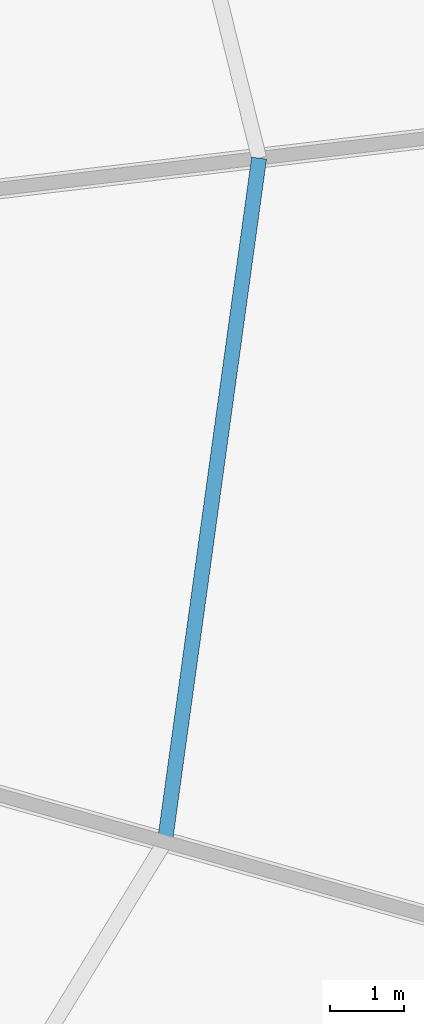
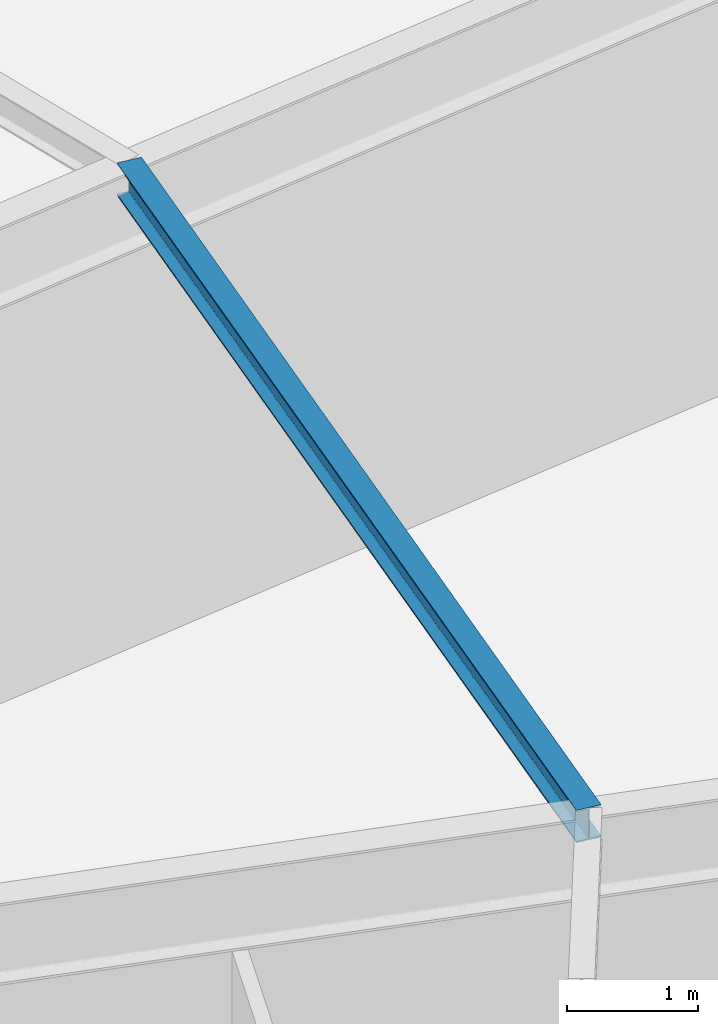
# One storey, part 11 of 22: 1 beam.
"""IFC4 building model written with IfcOpenShell, lengths in metres."""

from ifc_helpers import new_model, si_unit, direction, frame, origin, origin_2d, place, context, subcontext, project, spatial, i_section, extrude, material, material_profile, profile_set, type_object, element, save


model = new_model("IFC4")

# Units and contexts
model_context = context("Model", 3, precision=1e-05, world=origin(), true_north=direction((0.0, 1.0)))
body_context = subcontext(model_context, "Body", "Model", "MODEL_VIEW")
ifc_project = project(units=[si_unit("LENGTHUNIT", "METRE"), si_unit("AREAUNIT", "SQUARE_METRE"), si_unit("VOLUMEUNIT", "CUBIC_METRE"), si_unit("PLANEANGLEUNIT", "RADIAN"), si_unit("MASSUNIT", "GRAM", prefix="KILO")], contexts=[model_context])

# Site, building, storey
site_placement = place(None, origin())
site = spatial("IfcSite", under=ifc_project, at=site_placement, CompositionType="ELEMENT")
building_placement = place(site_placement, origin())
building = spatial("IfcBuilding", under=site, at=building_placement, Name="Kazma Halo Residences", CompositionType="ELEMENT")
storey_placement = place(building_placement, frame((0.0, 0.0, 7.199951171875)))
storey = spatial("IfcBuildingStorey", under=building, at=storey_placement, Name="L01", CompositionType="ELEMENT", Elevation=7.199951171875)

# Beam
ifc_material = material(Name="Steel S355", Category="steel")
ifc_material_profile = material_profile(ifc_material, i_section(OverallWidth=0.202880859375, OverallDepth=0.302978515625, WebThickness=0.007568359375, FlangeThickness=0.01318359375, FilletRadius=0.013916015625, at=origin_2d()), Name="W310x60")
ifc_profile_set = profile_set([ifc_material_profile], Name="Steel S355")
beam_type = type_object("IfcBeamType", Name="BM-SEC-W310A", PredefinedType="JOIST", material=ifc_profile_set)
beam_placement = place(storey_placement, frame((70.670654296875, 35.606201171875, 4.32861328125), z_axis=(0.136476861279, 0.990643258865, 0.0), x_axis=(-0.990643258865, 0.136476861279, 0.0)))
element("IfcBeam", 1, at=beam_placement, inside=storey, type_object=beam_type, Name="L01 circumferential floor joist 15", PredefinedType="JOIST", context=body_context, shape_type="SweptSolid", body=[
    extrude(i_section(OverallWidth=0.202880859375, OverallDepth=0.302978515625, WebThickness=0.007568359375, FlangeThickness=0.01318359375, FilletRadius=0.013916015625, at=origin_2d()), origin(), (0.0, 0.0, 1.0), 9.314697265625),
])

save(model, "model.ifc")
